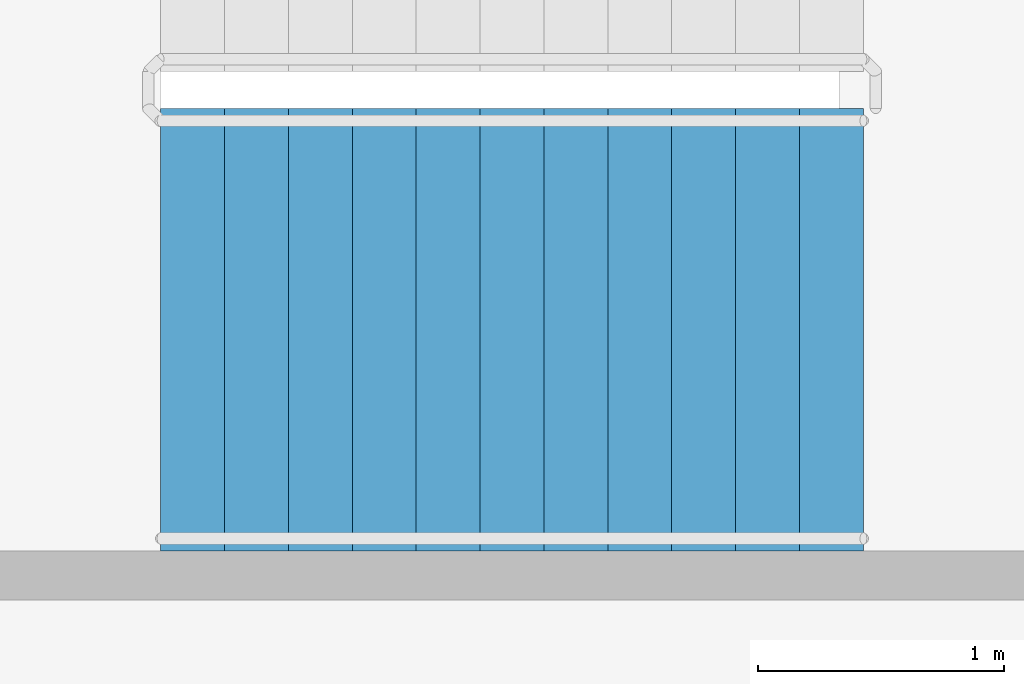
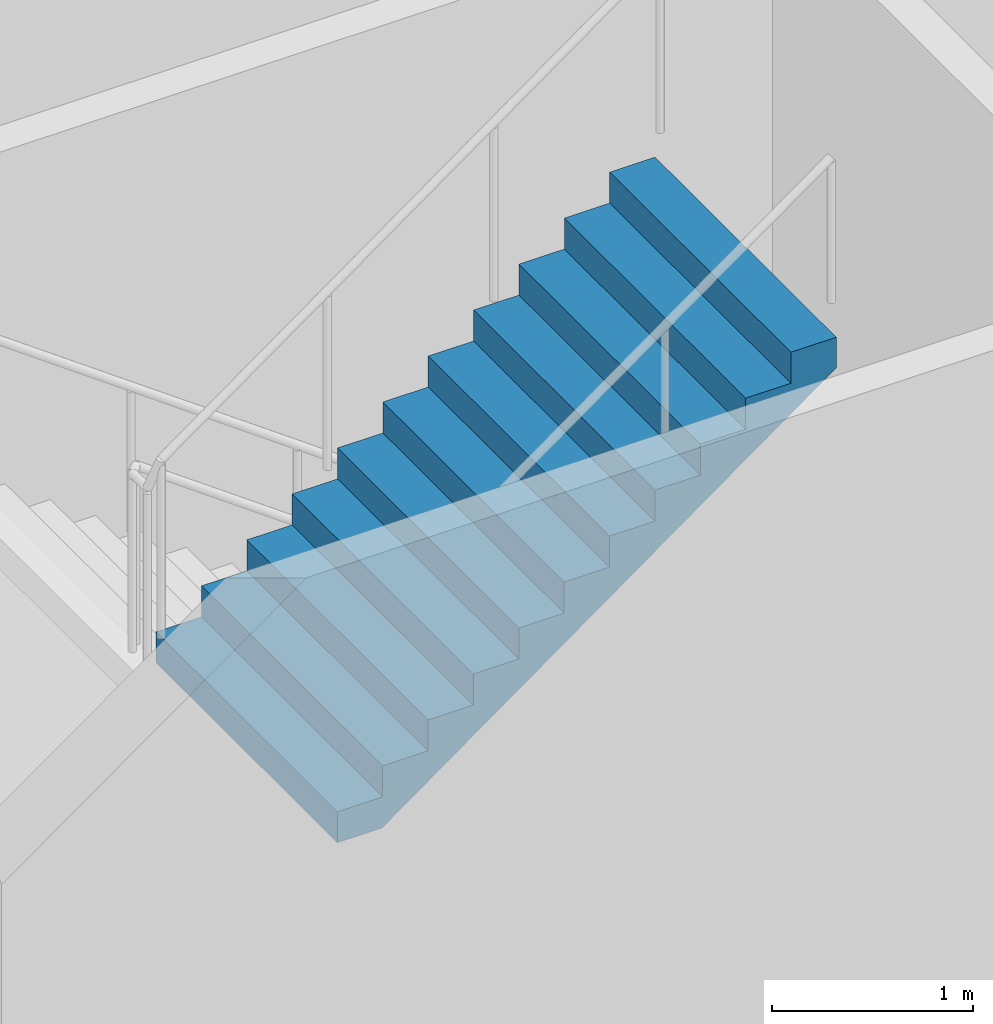
# One storey, part 41 of 51: 1 stair flight, 1 element without a shape of its own.
"""IFC4 building model written with IfcOpenShell, lengths in metres."""

from ifc_helpers import new_model, si_unit, direction, frame, origin, place, context, subcontext, project, spatial, faceted_brep, material, type_object, element, aggregate, save


model = new_model("IFC4")

# Units and contexts
model_context = context("Model", 3, precision=1e-05, world=origin(), true_north=direction((0.0, 1.0)))
body_context = subcontext(model_context, "Body", "Model", "MODEL_VIEW")
ifc_project = project(units=[si_unit("LENGTHUNIT", "METRE"), si_unit("AREAUNIT", "SQUARE_METRE"), si_unit("VOLUMEUNIT", "CUBIC_METRE"), si_unit("PLANEANGLEUNIT", "RADIAN"), si_unit("MASSUNIT", "GRAM", prefix="KILO")], contexts=[model_context])

# Site, building, storey
site_placement = place(None, origin())
site = spatial("IfcSite", under=ifc_project, at=site_placement, CompositionType="ELEMENT")
building_placement = place(site_placement, origin())
building = spatial("IfcBuilding", under=site, at=building_placement, Name="Ipe Terrace Towers", CompositionType="ELEMENT")
storey_placement = place(building_placement, frame((0.0, 0.0, 15.5)))
storey = spatial("IfcBuildingStorey", under=building, at=storey_placement, Name="L03", CompositionType="ELEMENT", Elevation=15.5)

# Stair, stair flight
ifc_material_1 = material(Name="Concrete C30/37", Category="concrete")
stair_type = type_object("IfcStairType", Name="Protected exit stair", PredefinedType="HALF_TURN_STAIR", material=ifc_material_1)
stair_placement = place(storey_placement, origin())
stair = element("IfcStair", 1, at=stair_placement, inside=storey, type_object=stair_type, Name="L03 Podium exit stair PS2", PredefinedType="HALF_TURN_STAIR")
ifc_material_2 = material(Name="Concrete C30/37", Category="concrete")
stair_flight_type = type_object("IfcStairFlightType", Name="Exit stair flight 1800", PredefinedType="STRAIGHT", material=ifc_material_2)
stair_flight_placement = place(storey_placement, frame((-3.610107421875, 23.550048828125, 2.25), z_axis=(0.0, 0.0, 1.0), x_axis=(1.0, 0.0, 0.0)))
stair_flight = element("IfcStairFlight", 2, at=stair_flight_placement, type_object=stair_flight_type, Name="PS2 flight 2", NumberOfRisers=12, NumberOfTreads=11, PredefinedType="STRAIGHT", RiserHeight=0.1875, TreadLength=0.26, context=body_context, shape_type="Brep", body=[
    faceted_brep([(0.25634765625, -0.89990234375, 0.0), (2.860107421875, -0.89990234375, 1.877685546875), (2.860107421875, -0.89990234375, 2.0625), (2.60009765625, -0.89990234375, 2.0625), (2.60009765625, -0.89990234375, 1.875), (2.340087890625, -0.89990234375, 1.875), (2.340087890625, -0.89990234375, 1.6875), (2.080078125, -0.89990234375, 1.6875), (2.080078125, -0.89990234375, 1.5), (1.820068359375, -0.89990234375, 1.5), (1.820068359375, -0.89990234375, 1.3125), (1.56005859375, -0.89990234375, 1.3125), (1.56005859375, -0.89990234375, 1.125), (1.300048828125, -0.89990234375, 1.125), (1.300048828125, -0.89990234375, 0.9375), (1.0400390625, -0.89990234375, 0.9375), (1.0400390625, -0.89990234375, 0.75), (0.780029296875, -0.89990234375, 0.75), (0.780029296875, -0.89990234375, 0.5625), (0.52001953125, -0.89990234375, 0.5625), (0.52001953125, -0.89990234375, 0.375), (0.260009765625, -0.89990234375, 0.375), (0.260009765625, -0.89990234375, 0.1875), (0.0, -0.89990234375, 0.1875), (0.0, -0.89990234375, 0.0), (0.0, 0.89990234375, 0.0), (0.0, 0.89990234375, 0.1875), (0.260009765625, 0.89990234375, 0.1875), (0.260009765625, 0.89990234375, 0.375), (0.52001953125, 0.89990234375, 0.375), (0.52001953125, 0.89990234375, 0.5625), (0.780029296875, 0.89990234375, 0.5625), (0.780029296875, 0.89990234375, 0.75), (1.0400390625, 0.89990234375, 0.75), (1.0400390625, 0.89990234375, 0.9375), (1.300048828125, 0.89990234375, 0.9375), (1.300048828125, 0.89990234375, 1.125), (1.56005859375, 0.89990234375, 1.125), (1.56005859375, 0.89990234375, 1.3125), (1.820068359375, 0.89990234375, 1.3125), (1.820068359375, 0.89990234375, 1.5), (2.080078125, 0.89990234375, 1.5), (2.080078125, 0.89990234375, 1.6875), (2.340087890625, 0.89990234375, 1.6875), (2.340087890625, 0.89990234375, 1.875), (2.60009765625, 0.89990234375, 1.875), (2.60009765625, 0.89990234375, 2.0625), (2.860107421875, 0.89990234375, 2.0625), (2.860107421875, 0.89990234375, 1.877685546875), (0.25634765625, 0.89990234375, 0.0), (0.0, -0.300048828125, 0.1875), (0.0, -0.1201171875, 0.1875), (0.0, -0.06005859375, 0.1875), (0.0, -0.030029296875, 0.1875), (0.0, -0.010009765625, 0.1875), (0.0, 0.0, 0.1875), (0.0, 0.010009765625, 0.1875), (0.0, 0.030029296875, 0.1875), (0.0, 0.06005859375, 0.1875), (0.0, 0.1201171875, 0.1875), (0.0, 0.300048828125, 0.1875), (0.0, 0.300048828125, 0.0), (0.0, 0.1201171875, 0.0), (0.0, 0.06005859375, 0.0), (0.0, 0.030029296875, 0.0), (0.0, 0.010009765625, 0.0), (0.0, 0.0, 0.0), (0.0, -0.010009765625, 0.0), (0.0, -0.030029296875, 0.0), (0.0, -0.06005859375, 0.0), (0.0, -0.1201171875, 0.0), (0.0, -0.300048828125, 0.0), (0.260009765625, -0.300048828125, 0.1875), (0.260009765625, -0.1201171875, 0.1875), (0.260009765625, -0.06005859375, 0.1875), (0.260009765625, -0.030029296875, 0.1875), (0.260009765625, -0.010009765625, 0.1875), (0.260009765625, 0.0, 0.1875), (0.260009765625, 0.010009765625, 0.1875), (0.260009765625, 0.030029296875, 0.1875), (0.260009765625, 0.06005859375, 0.1875), (0.260009765625, 0.1201171875, 0.1875), (0.260009765625, 0.300048828125, 0.1875), (0.260009765625, -0.300048828125, 0.375), (0.260009765625, -0.1201171875, 0.375), (0.260009765625, -0.06005859375, 0.375), (0.260009765625, -0.030029296875, 0.375), (0.260009765625, -0.010009765625, 0.375), (0.260009765625, 0.0, 0.375), (0.260009765625, 0.010009765625, 0.375), (0.260009765625, 0.030029296875, 0.375), (0.260009765625, 0.06005859375, 0.375), (0.260009765625, 0.1201171875, 0.375), (0.260009765625, 0.300048828125, 0.375), (0.52001953125, -0.300048828125, 0.375), (0.52001953125, -0.1201171875, 0.375), (0.52001953125, -0.06005859375, 0.375), (0.52001953125, -0.030029296875, 0.375), (0.52001953125, -0.010009765625, 0.375), (0.52001953125, 0.0, 0.375), (0.52001953125, 0.010009765625, 0.375), (0.52001953125, 0.030029296875, 0.375), (0.52001953125, 0.06005859375, 0.375), (0.52001953125, 0.1201171875, 0.375), (0.52001953125, 0.300048828125, 0.375), (0.52001953125, -0.300048828125, 0.5625), (0.52001953125, -0.1201171875, 0.5625), (0.52001953125, -0.06005859375, 0.5625), (0.52001953125, -0.030029296875, 0.5625), (0.52001953125, -0.010009765625, 0.5625), (0.52001953125, 0.0, 0.5625), (0.52001953125, 0.010009765625, 0.5625), (0.52001953125, 0.030029296875, 0.5625), (0.52001953125, 0.06005859375, 0.5625), (0.52001953125, 0.1201171875, 0.5625), (0.52001953125, 0.300048828125, 0.5625), (0.780029296875, -0.300048828125, 0.5625), (0.780029296875, -0.1201171875, 0.5625), (0.780029296875, -0.06005859375, 0.5625), (0.780029296875, -0.030029296875, 0.5625), (0.780029296875, -0.010009765625, 0.5625), (0.780029296875, 0.0, 0.5625), (0.780029296875, 0.010009765625, 0.5625), (0.780029296875, 0.030029296875, 0.5625), (0.780029296875, 0.06005859375, 0.5625), (0.780029296875, 0.1201171875, 0.5625), (0.780029296875, 0.300048828125, 0.5625), (0.780029296875, -0.300048828125, 0.75), (0.780029296875, -0.1201171875, 0.75), (0.780029296875, -0.06005859375, 0.75), (0.780029296875, -0.030029296875, 0.75), (0.780029296875, -0.010009765625, 0.75), (0.780029296875, 0.0, 0.75), (0.780029296875, 0.010009765625, 0.75), (0.780029296875, 0.030029296875, 0.75), (0.780029296875, 0.06005859375, 0.75), (0.780029296875, 0.1201171875, 0.75), (0.780029296875, 0.300048828125, 0.75), (1.0400390625, -0.300048828125, 0.75), (1.0400390625, -0.1201171875, 0.75), (1.0400390625, -0.06005859375, 0.75), (1.0400390625, -0.030029296875, 0.75), (1.0400390625, -0.010009765625, 0.75), (1.0400390625, 0.0, 0.75), (1.0400390625, 0.010009765625, 0.75), (1.0400390625, 0.030029296875, 0.75), (1.0400390625, 0.06005859375, 0.75), (1.0400390625, 0.1201171875, 0.75), (1.0400390625, 0.300048828125, 0.75), (1.0400390625, -0.300048828125, 0.9375), (1.0400390625, -0.1201171875, 0.9375), (1.0400390625, -0.06005859375, 0.9375), (1.0400390625, -0.030029296875, 0.9375), (1.0400390625, -0.010009765625, 0.9375), (1.0400390625, 0.0, 0.9375), (1.0400390625, 0.010009765625, 0.9375), (1.0400390625, 0.030029296875, 0.9375), (1.0400390625, 0.06005859375, 0.9375), (1.0400390625, 0.1201171875, 0.9375), (1.0400390625, 0.300048828125, 0.9375), (1.300048828125, -0.300048828125, 0.9375), (1.300048828125, -0.1201171875, 0.9375), (1.300048828125, -0.06005859375, 0.9375), (1.300048828125, -0.030029296875, 0.9375), (1.300048828125, -0.010009765625, 0.9375), (1.300048828125, 0.0, 0.9375), (1.300048828125, 0.010009765625, 0.9375), (1.300048828125, 0.030029296875, 0.9375), (1.300048828125, 0.06005859375, 0.9375), (1.300048828125, 0.1201171875, 0.9375), (1.300048828125, 0.300048828125, 0.9375), (1.300048828125, -0.300048828125, 1.125), (1.300048828125, -0.1201171875, 1.125), (1.300048828125, -0.06005859375, 1.125), (1.300048828125, -0.030029296875, 1.125), (1.300048828125, -0.010009765625, 1.125), (1.300048828125, 0.0, 1.125), (1.300048828125, 0.010009765625, 1.125), (1.300048828125, 0.030029296875, 1.125), (1.300048828125, 0.06005859375, 1.125), (1.300048828125, 0.1201171875, 1.125), (1.300048828125, 0.300048828125, 1.125), (1.56005859375, -0.300048828125, 1.125), (1.56005859375, -0.1201171875, 1.125), (1.56005859375, -0.06005859375, 1.125), (1.56005859375, -0.030029296875, 1.125), (1.56005859375, -0.010009765625, 1.125), (1.56005859375, 0.0, 1.125), (1.56005859375, 0.010009765625, 1.125), (1.56005859375, 0.030029296875, 1.125), (1.56005859375, 0.06005859375, 1.125), (1.56005859375, 0.1201171875, 1.125), (1.56005859375, 0.300048828125, 1.125), (1.56005859375, -0.300048828125, 1.3125), (1.56005859375, -0.1201171875, 1.3125), (1.56005859375, -0.06005859375, 1.3125), (1.56005859375, -0.030029296875, 1.3125), (1.56005859375, -0.010009765625, 1.3125), (1.56005859375, 0.0, 1.3125), (1.56005859375, 0.010009765625, 1.3125), (1.56005859375, 0.030029296875, 1.3125), (1.56005859375, 0.06005859375, 1.3125), (1.56005859375, 0.1201171875, 1.3125), (1.56005859375, 0.300048828125, 1.3125), (1.820068359375, -0.300048828125, 1.3125), (1.820068359375, -0.1201171875, 1.3125), (1.820068359375, -0.06005859375, 1.3125), (1.820068359375, -0.030029296875, 1.3125), (1.820068359375, -0.010009765625, 1.3125), (1.820068359375, 0.0, 1.3125), (1.820068359375, 0.010009765625, 1.3125), (1.820068359375, 0.030029296875, 1.3125), (1.820068359375, 0.06005859375, 1.3125), (1.820068359375, 0.1201171875, 1.3125), (1.820068359375, 0.300048828125, 1.3125), (1.820068359375, -0.300048828125, 1.5), (1.820068359375, -0.1201171875, 1.5), (1.820068359375, -0.06005859375, 1.5), (1.820068359375, -0.030029296875, 1.5), (1.820068359375, -0.010009765625, 1.5), (1.820068359375, 0.0, 1.5), (1.820068359375, 0.010009765625, 1.5), (1.820068359375, 0.030029296875, 1.5), (1.820068359375, 0.06005859375, 1.5), (1.820068359375, 0.1201171875, 1.5), (1.820068359375, 0.300048828125, 1.5), (2.080078125, -0.300048828125, 1.5), (2.080078125, -0.1201171875, 1.5), (2.080078125, -0.06005859375, 1.5), (2.080078125, -0.030029296875, 1.5), (2.080078125, -0.010009765625, 1.5), (2.080078125, 0.0, 1.5), (2.080078125, 0.010009765625, 1.5), (2.080078125, 0.030029296875, 1.5), (2.080078125, 0.06005859375, 1.5), (2.080078125, 0.1201171875, 1.5), (2.080078125, 0.300048828125, 1.5), (2.080078125, -0.300048828125, 1.6875), (2.080078125, -0.1201171875, 1.6875), (2.080078125, -0.06005859375, 1.6875), (2.080078125, -0.030029296875, 1.6875), (2.080078125, -0.010009765625, 1.6875), (2.080078125, 0.0, 1.6875), (2.080078125, 0.010009765625, 1.6875), (2.080078125, 0.030029296875, 1.6875), (2.080078125, 0.06005859375, 1.6875), (2.080078125, 0.1201171875, 1.6875), (2.080078125, 0.300048828125, 1.6875), (2.340087890625, -0.300048828125, 1.6875), (2.340087890625, -0.1201171875, 1.6875), (2.340087890625, -0.06005859375, 1.6875), (2.340087890625, -0.030029296875, 1.6875), (2.340087890625, -0.010009765625, 1.6875), (2.340087890625, 0.0, 1.6875), (2.340087890625, 0.010009765625, 1.6875), (2.340087890625, 0.030029296875, 1.6875), (2.340087890625, 0.06005859375, 1.6875), (2.340087890625, 0.1201171875, 1.6875), (2.340087890625, 0.300048828125, 1.6875), (2.340087890625, -0.300048828125, 1.875), (2.340087890625, -0.1201171875, 1.875), (2.340087890625, -0.06005859375, 1.875), (2.340087890625, -0.030029296875, 1.875), (2.340087890625, -0.010009765625, 1.875), (2.340087890625, 0.0, 1.875), (2.340087890625, 0.010009765625, 1.875), (2.340087890625, 0.030029296875, 1.875), (2.340087890625, 0.06005859375, 1.875), (2.340087890625, 0.1201171875, 1.875), (2.340087890625, 0.300048828125, 1.875), (2.60009765625, -0.300048828125, 1.875), (2.60009765625, -0.1201171875, 1.875), (2.60009765625, -0.06005859375, 1.875), (2.60009765625, -0.030029296875, 1.875), (2.60009765625, -0.010009765625, 1.875), (2.60009765625, 0.0, 1.875), (2.60009765625, 0.010009765625, 1.875), (2.60009765625, 0.030029296875, 1.875), (2.60009765625, 0.06005859375, 1.875), (2.60009765625, 0.1201171875, 1.875), (2.60009765625, 0.300048828125, 1.875), (2.60009765625, -0.300048828125, 2.0625), (2.60009765625, -0.1201171875, 2.0625), (2.60009765625, -0.06005859375, 2.0625), (2.60009765625, -0.030029296875, 2.0625), (2.60009765625, -0.010009765625, 2.0625), (2.60009765625, 0.0, 2.0625), (2.60009765625, 0.010009765625, 2.0625), (2.60009765625, 0.030029296875, 2.0625), (2.60009765625, 0.06005859375, 2.0625), (2.60009765625, 0.1201171875, 2.0625), (2.60009765625, 0.300048828125, 2.0625), (2.860107421875, -0.300048828125, 2.0625), (2.860107421875, -0.1201171875, 2.0625), (2.860107421875, -0.06005859375, 2.0625), (2.860107421875, -0.030029296875, 2.0625), (2.860107421875, -0.010009765625, 2.0625), (2.860107421875, 0.0, 2.0625), (2.860107421875, 0.010009765625, 2.0625), (2.860107421875, 0.030029296875, 2.0625), (2.860107421875, 0.06005859375, 2.0625), (2.860107421875, 0.1201171875, 2.0625), (2.860107421875, 0.300048828125, 2.0625), (2.860107421875, -0.300048828125, 1.877685546875), (2.860107421875, -0.1201171875, 1.877685546875), (2.860107421875, -0.06005859375, 1.877685546875), (2.860107421875, -0.030029296875, 1.877685546875), (2.860107421875, -0.010009765625, 1.877685546875), (2.860107421875, 0.0, 1.877685546875), (2.860107421875, 0.010009765625, 1.877685546875), (2.860107421875, 0.030029296875, 1.877685546875), (2.860107421875, 0.06005859375, 1.877685546875), (2.860107421875, 0.1201171875, 1.877685546875), (2.860107421875, 0.300048828125, 1.877685546875), (0.25634765625, -0.300048828125, 0.0), (0.25634765625, -0.1201171875, 0.0), (0.25634765625, -0.06005859375, 0.0), (0.25634765625, -0.030029296875, 0.0), (0.25634765625, -0.010009765625, 0.0), (0.25634765625, 0.0, 0.0), (0.25634765625, 0.010009765625, 0.0), (0.25634765625, 0.030029296875, 0.0), (0.25634765625, 0.06005859375, 0.0), (0.25634765625, 0.1201171875, 0.0), (0.25634765625, 0.300048828125, 0.0)], [[[0, 1, 2, 3, 4, 5, 6, 7, 8, 9, 10, 11, 12, 13, 14, 15, 16, 17, 18, 19, 20, 21, 22, 23, 24]], [[25, 26, 27, 28, 29, 30, 31, 32, 33, 34, 35, 36, 37, 38, 39, 40, 41, 42, 43, 44, 45, 46, 47, 48, 49]], [[23, 50, 51, 52, 53, 54, 55, 56, 57, 58, 59, 60, 26, 25, 61, 62, 63, 64, 65, 66, 67, 68, 69, 70, 71, 24]], [[22, 72, 73, 74, 75, 76, 77, 78, 79, 80, 81, 82, 27, 26, 60, 59, 58, 57, 56, 55, 54, 53, 52, 51, 50, 23]], [[21, 83, 84, 85, 86, 87, 88, 89, 90, 91, 92, 93, 28, 27, 82, 81, 80, 79, 78, 77, 76, 75, 74, 73, 72, 22]], [[20, 94, 95, 96, 97, 98, 99, 100, 101, 102, 103, 104, 29, 28, 93, 92, 91, 90, 89, 88, 87, 86, 85, 84, 83, 21]], [[19, 105, 106, 107, 108, 109, 110, 111, 112, 113, 114, 115, 30, 29, 104, 103, 102, 101, 100, 99, 98, 97, 96, 95, 94, 20]], [[18, 116, 117, 118, 119, 120, 121, 122, 123, 124, 125, 126, 31, 30, 115, 114, 113, 112, 111, 110, 109, 108, 107, 106, 105, 19]], [[17, 127, 128, 129, 130, 131, 132, 133, 134, 135, 136, 137, 32, 31, 126, 125, 124, 123, 122, 121, 120, 119, 118, 117, 116, 18]], [[16, 138, 139, 140, 141, 142, 143, 144, 145, 146, 147, 148, 33, 32, 137, 136, 135, 134, 133, 132, 131, 130, 129, 128, 127, 17]], [[15, 149, 150, 151, 152, 153, 154, 155, 156, 157, 158, 159, 34, 33, 148, 147, 146, 145, 144, 143, 142, 141, 140, 139, 138, 16]], [[14, 160, 161, 162, 163, 164, 165, 166, 167, 168, 169, 170, 35, 34, 159, 158, 157, 156, 155, 154, 153, 152, 151, 150, 149, 15]], [[13, 171, 172, 173, 174, 175, 176, 177, 178, 179, 180, 181, 36, 35, 170, 169, 168, 167, 166, 165, 164, 163, 162, 161, 160, 14]], [[12, 182, 183, 184, 185, 186, 187, 188, 189, 190, 191, 192, 37, 36, 181, 180, 179, 178, 177, 176, 175, 174, 173, 172, 171, 13]], [[11, 193, 194, 195, 196, 197, 198, 199, 200, 201, 202, 203, 38, 37, 192, 191, 190, 189, 188, 187, 186, 185, 184, 183, 182, 12]], [[10, 204, 205, 206, 207, 208, 209, 210, 211, 212, 213, 214, 39, 38, 203, 202, 201, 200, 199, 198, 197, 196, 195, 194, 193, 11]], [[9, 215, 216, 217, 218, 219, 220, 221, 222, 223, 224, 225, 40, 39, 214, 213, 212, 211, 210, 209, 208, 207, 206, 205, 204, 10]], [[8, 226, 227, 228, 229, 230, 231, 232, 233, 234, 235, 236, 41, 40, 225, 224, 223, 222, 221, 220, 219, 218, 217, 216, 215, 9]], [[7, 237, 238, 239, 240, 241, 242, 243, 244, 245, 246, 247, 42, 41, 236, 235, 234, 233, 232, 231, 230, 229, 228, 227, 226, 8]], [[6, 248, 249, 250, 251, 252, 253, 254, 255, 256, 257, 258, 43, 42, 247, 246, 245, 244, 243, 242, 241, 240, 239, 238, 237, 7]], [[5, 259, 260, 261, 262, 263, 264, 265, 266, 267, 268, 269, 44, 43, 258, 257, 256, 255, 254, 253, 252, 251, 250, 249, 248, 6]], [[4, 270, 271, 272, 273, 274, 275, 276, 277, 278, 279, 280, 45, 44, 269, 268, 267, 266, 265, 264, 263, 262, 261, 260, 259, 5]], [[3, 281, 282, 283, 284, 285, 286, 287, 288, 289, 290, 291, 46, 45, 280, 279, 278, 277, 276, 275, 274, 273, 272, 271, 270, 4]], [[2, 292, 293, 294, 295, 296, 297, 298, 299, 300, 301, 302, 47, 46, 291, 290, 289, 288, 287, 286, 285, 284, 283, 282, 281, 3]], [[1, 303, 304, 305, 306, 307, 308, 309, 310, 311, 312, 313, 48, 47, 302, 301, 300, 299, 298, 297, 296, 295, 294, 293, 292, 2]], [[0, 314, 315, 316, 317, 318, 319, 320, 321, 322, 323, 324, 49, 48, 313, 312, 311, 310, 309, 308, 307, 306, 305, 304, 303, 1]], [[24, 71, 70, 69, 68, 67, 66, 65, 64, 63, 62, 61, 25, 49, 324, 323, 322, 321, 320, 319, 318, 317, 316, 315, 314, 0]]]),
])
aggregate(stair, [stair_flight])

save(model, "model.ifc")
